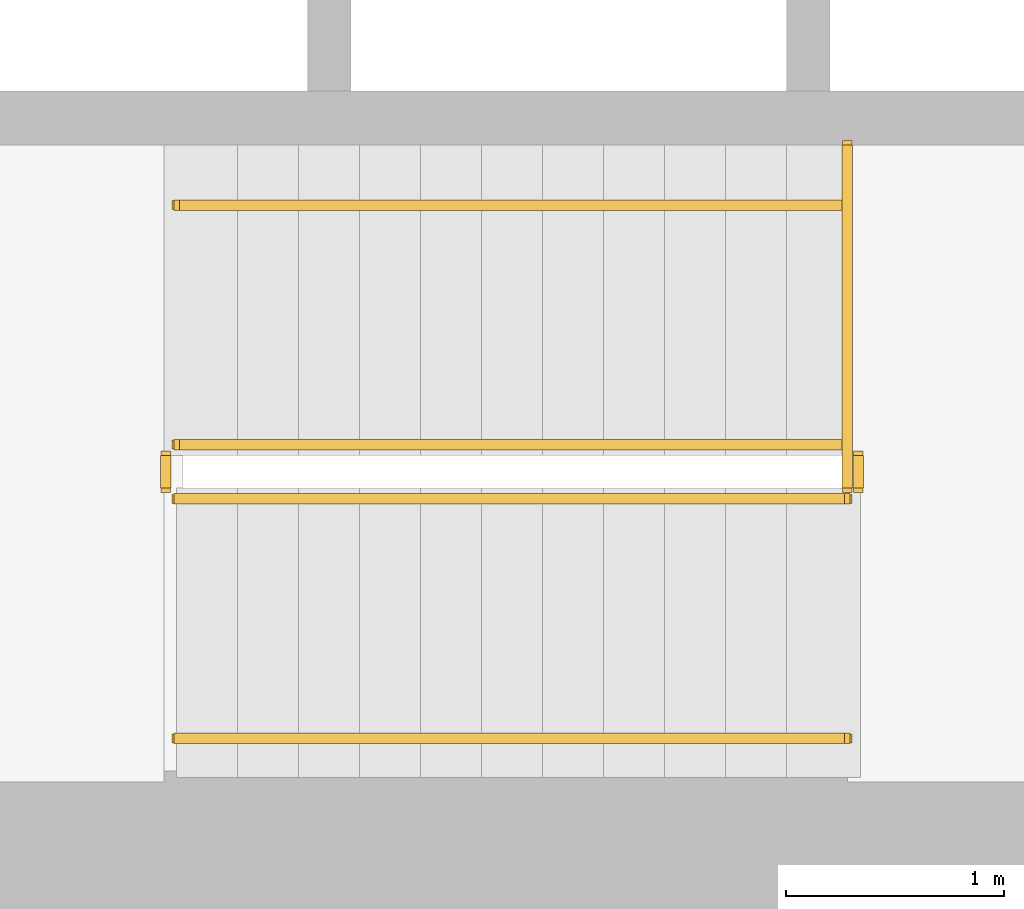
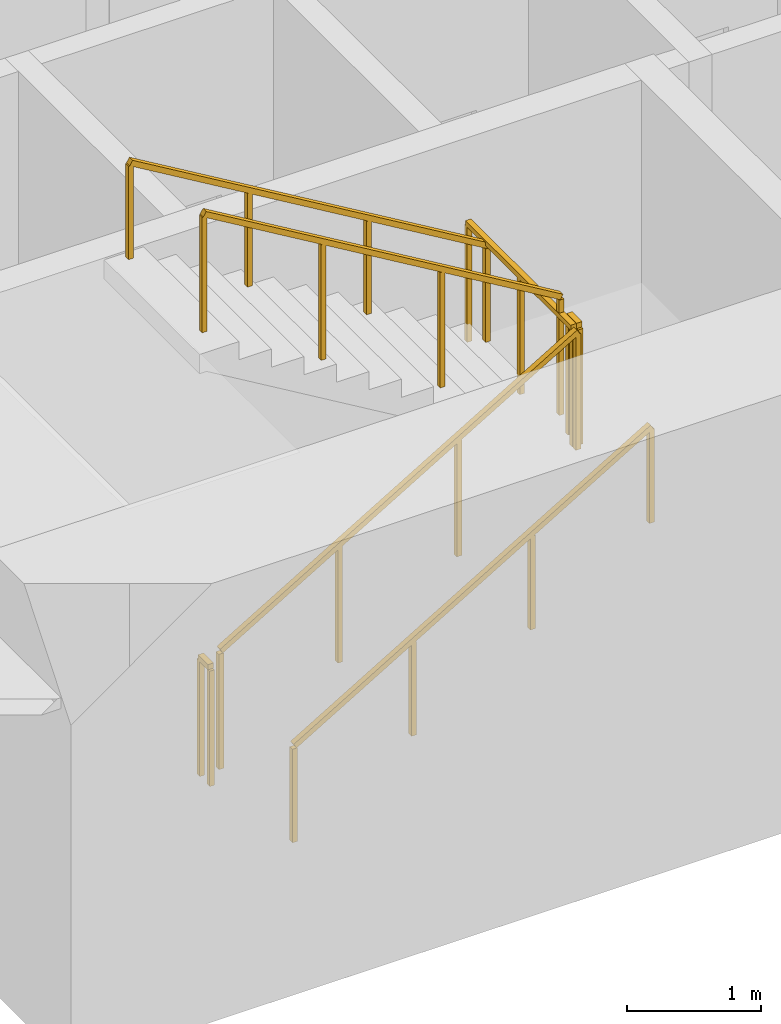
# One storey, part 12 of 15: 7 railings.
"""IFC4 building model written with IfcOpenShell, lengths in metres."""

from ifc_helpers import new_model, si_unit, direction, frame, origin, origin_2d, place, context, subcontext, project, spatial, rectangle, extrude, material, type_object, element, save


model = new_model("IFC4")

# Units and contexts
model_context = context("Model", 3, precision=1e-05, world=origin(), true_north=direction((0.0, 1.0)))
body_context = subcontext(model_context, "Body", "Model", "MODEL_VIEW")
ifc_project = project(units=[si_unit("LENGTHUNIT", "METRE"), si_unit("AREAUNIT", "SQUARE_METRE"), si_unit("VOLUMEUNIT", "CUBIC_METRE"), si_unit("PLANEANGLEUNIT", "RADIAN"), si_unit("MASSUNIT", "GRAM", prefix="KILO")], contexts=[model_context])

# Site, building, storey
site_placement = place(None, origin())
site = spatial("IfcSite", under=ifc_project, at=site_placement, CompositionType="ELEMENT")
building_placement = place(site_placement, origin())
building = spatial("IfcBuilding", under=site, at=building_placement, Name="Sennacour Bend Tower", CompositionType="ELEMENT")
storey_placement = place(building_placement, frame((0.0, 0.0, 33.0)))
storey = spatial("IfcBuildingStorey", under=building, at=storey_placement, Name="L06", CompositionType="ELEMENT", Elevation=33.0)

# Railings
ifc_material = material(Name="Stainless steel", Category="steel")
railing_type_1 = type_object("IfcRailingType", Name="RL-GUARD-1100", PredefinedType="GUARDRAIL", material=ifc_material)
railing_1_placement = place(storey_placement, frame((56.699951171875, 2.449951171875, 0.166748046875)))
element("IfcRailing", 1, at=railing_1_placement, inside=storey, type_object=railing_type_1, Name="L06 SA1 stair guard 1", PredefinedType="GUARDRAIL", context=body_context, shape_type="SweptSolid", body=[
    extrude(rectangle(XDim=0.048095703125, YDim=0.048095703125, at=origin_2d()), frame((0.0, 0.0, 1.076171875), z_axis=(0.859308565015, 0.0, 0.511457515432), x_axis=(0.0, 1.0, 0.0)), (0.0, 0.0, 1.0), 3.58447265625),
    extrude(rectangle(XDim=0.0419921875, YDim=0.0419921875, at=origin_2d()), origin(), (0.0, 0.0, 1.0), 1.052001953125),
    extrude(rectangle(XDim=0.0419921875, YDim=0.0419921875, at=origin_2d()), frame((1.026611328125, 0.0, 0.611083984375)), (0.0, 0.0, 1.0), 1.052001953125),
    extrude(rectangle(XDim=0.0419921875, YDim=0.0419921875, at=origin_2d()), frame((2.053466796875, 0.0, 1.22216796875)), (0.0, 0.0, 1.0), 1.052001953125),
    extrude(rectangle(XDim=0.0419921875, YDim=0.0419921875, at=origin_2d()), frame((3.080078125, 0.0, 1.833251953125)), (0.0, 0.0, 1.0), 1.052001953125),
])
railing_2_placement = place(storey_placement, frame((59.830078125, 2.5, 2.0)))
element("IfcRailing", 2, at=railing_2_placement, inside=storey, type_object=railing_type_1, Name="L06 SA1 stair guard 2", PredefinedType="GUARDRAIL", context=body_context, shape_type="SweptSolid", body=[
    extrude(rectangle(XDim=0.048095703125, YDim=0.048095703125, at=origin_2d()), frame((0.0, 0.0, 1.076171875), z_axis=(0.0, 1.0, 0.0), x_axis=(-1.0, 0.0, 0.0)), (0.0, 0.0, 1.0), 0.14990234375),
    extrude(rectangle(XDim=0.0419921875, YDim=0.0419921875, at=origin_2d()), origin(), (0.0, 0.0, 1.0), 1.052001953125),
    extrude(rectangle(XDim=0.0419921875, YDim=0.0419921875, at=origin_2d()), frame((0.0, 0.14990234375, 0.0)), (0.0, 0.0, 1.0), 1.052001953125),
])
railing_3_placement = place(storey_placement, frame((59.780029296875, 2.699951171875, 2.166748046875)))
element("IfcRailing", 3, at=railing_3_placement, inside=storey, type_object=railing_type_1, Name="L06 SA1 stair guard 4", PredefinedType="GUARDRAIL", context=body_context, shape_type="SweptSolid", body=[
    extrude(rectangle(XDim=0.048095703125, YDim=0.048095703125, at=origin_2d()), frame((0.0, 0.0, 1.076171875), z_axis=(-0.859308565015, 0.0, 0.511457515432), x_axis=(0.0, -1.0, 0.0)), (0.0, 0.0, 1.0), 3.58447265625),
    extrude(rectangle(XDim=0.0419921875, YDim=0.0419921875, at=origin_2d()), origin(), (0.0, 0.0, 1.0), 1.052001953125),
    extrude(rectangle(XDim=0.0419921875, YDim=0.0419921875, at=origin_2d()), frame((-1.026611328125, 0.0, 0.611083984375)), (0.0, 0.0, 1.0), 1.052001953125),
    extrude(rectangle(XDim=0.0419921875, YDim=0.0419921875, at=origin_2d()), frame((-2.053466796875, 0.0, 1.22216796875)), (0.0, 0.0, 1.0), 1.052001953125),
    extrude(rectangle(XDim=0.0419921875, YDim=0.0419921875, at=origin_2d()), frame((-3.080078125, 0.0, 1.833251953125)), (0.0, 0.0, 1.0), 1.052001953125),
])
railing_4_placement = place(storey_placement, frame((56.64990234375, 2.5, 0.0)))
element("IfcRailing", 4, at=railing_4_placement, inside=storey, type_object=railing_type_1, Name="L06 SA1 stair guard 5", PredefinedType="GUARDRAIL", context=body_context, shape_type="SweptSolid", body=[
    extrude(rectangle(XDim=0.048095703125, YDim=0.048095703125, at=origin_2d()), frame((0.0, 0.0, 1.076171875), z_axis=(0.0, 1.0, 0.0), x_axis=(-1.0, 0.0, 0.0)), (0.0, 0.0, 1.0), 0.14990234375),
    extrude(rectangle(XDim=0.0419921875, YDim=0.0419921875, at=origin_2d()), origin(), (0.0, 0.0, 1.0), 1.052001953125),
    extrude(rectangle(XDim=0.0419921875, YDim=0.0419921875, at=origin_2d()), frame((0.0, 0.14990234375, 0.0)), (0.0, 0.0, 1.0), 1.052001953125),
])
railing_5_placement = place(storey_placement, frame((59.780029296875, 2.5, 2.0)))
element("IfcRailing", 5, at=railing_5_placement, inside=storey, type_object=railing_type_1, Name="L06 SA1 landing edge guard 21", PredefinedType="GUARDRAIL", context=body_context, shape_type="SweptSolid", body=[
    extrude(rectangle(XDim=0.048095703125, YDim=0.048095703125, at=origin_2d()), frame((0.0, 0.0, 1.076171875), z_axis=(0.0, 1.0, 0.0), x_axis=(-1.0, 0.0, 0.0)), (0.0, 0.0, 1.0), 1.574951171875),
    extrude(rectangle(XDim=0.0419921875, YDim=0.0419921875, at=origin_2d()), origin(), (0.0, 0.0, 1.0), 1.052001953125),
    extrude(rectangle(XDim=0.0419921875, YDim=0.0419921875, at=origin_2d()), frame((0.0, 0.78759765625, 0.0)), (0.0, 0.0, 1.0), 1.052001953125),
    extrude(rectangle(XDim=0.0419921875, YDim=0.0419921875, at=origin_2d()), frame((0.0, 1.574951171875, 0.0)), (0.0, 0.0, 1.0), 1.052001953125),
])
railing_type_2 = type_object("IfcRailingType", Name="RL-HANDRAIL-900", PredefinedType="HANDRAIL", material=ifc_material)
railing_6_placement = place(storey_placement, frame((56.699951171875, 1.35009765625, 0.166748046875)))
element("IfcRailing", 6, at=railing_6_placement, inside=storey, type_object=railing_type_2, Name="L06 SA1 stair handrail 1", PredefinedType="HANDRAIL", context=body_context, shape_type="SweptSolid", body=[
    extrude(rectangle(XDim=0.048095703125, YDim=0.048095703125, at=origin_2d()), frame((0.0, 0.0, 0.8759765625), z_axis=(0.859308565015, 0.0, 0.511457515432), x_axis=(0.0, 1.0, 0.0)), (0.0, 0.0, 1.0), 3.58447265625),
    extrude(rectangle(XDim=0.0419921875, YDim=0.0419921875, at=origin_2d()), origin(), (0.0, 0.0, 1.0), 0.851806640625),
    extrude(rectangle(XDim=0.0419921875, YDim=0.0419921875, at=origin_2d()), frame((1.026611328125, 0.0, 0.611083984375)), (0.0, 0.0, 1.0), 0.851806640625),
    extrude(rectangle(XDim=0.0419921875, YDim=0.0419921875, at=origin_2d()), frame((2.053466796875, 0.0, 1.22216796875)), (0.0, 0.0, 1.0), 0.851806640625),
    extrude(rectangle(XDim=0.0419921875, YDim=0.0419921875, at=origin_2d()), frame((3.080078125, 0.0, 1.833251953125)), (0.0, 0.0, 1.0), 0.851806640625),
])
railing_7_placement = place(storey_placement, frame((59.780029296875, 3.800048828125, 2.166748046875)))
element("IfcRailing", 7, at=railing_7_placement, inside=storey, type_object=railing_type_2, Name="L06 SA1 stair handrail 2", PredefinedType="HANDRAIL", context=body_context, shape_type="SweptSolid", body=[
    extrude(rectangle(XDim=0.048095703125, YDim=0.048095703125, at=origin_2d()), frame((0.0, 0.0, 0.8759765625), z_axis=(-0.859308565015, 0.0, 0.511457515432), x_axis=(0.0, -1.0, 0.0)), (0.0, 0.0, 1.0), 3.58447265625),
    extrude(rectangle(XDim=0.0419921875, YDim=0.0419921875, at=origin_2d()), origin(), (0.0, 0.0, 1.0), 0.851806640625),
    extrude(rectangle(XDim=0.0419921875, YDim=0.0419921875, at=origin_2d()), frame((-1.026611328125, 0.0, 0.611083984375)), (0.0, 0.0, 1.0), 0.851806640625),
    extrude(rectangle(XDim=0.0419921875, YDim=0.0419921875, at=origin_2d()), frame((-2.053466796875, 0.0, 1.22216796875)), (0.0, 0.0, 1.0), 0.851806640625),
    extrude(rectangle(XDim=0.0419921875, YDim=0.0419921875, at=origin_2d()), frame((-3.080078125, 0.0, 1.833251953125)), (0.0, 0.0, 1.0), 0.851806640625),
])

save(model, "model.ifc")
